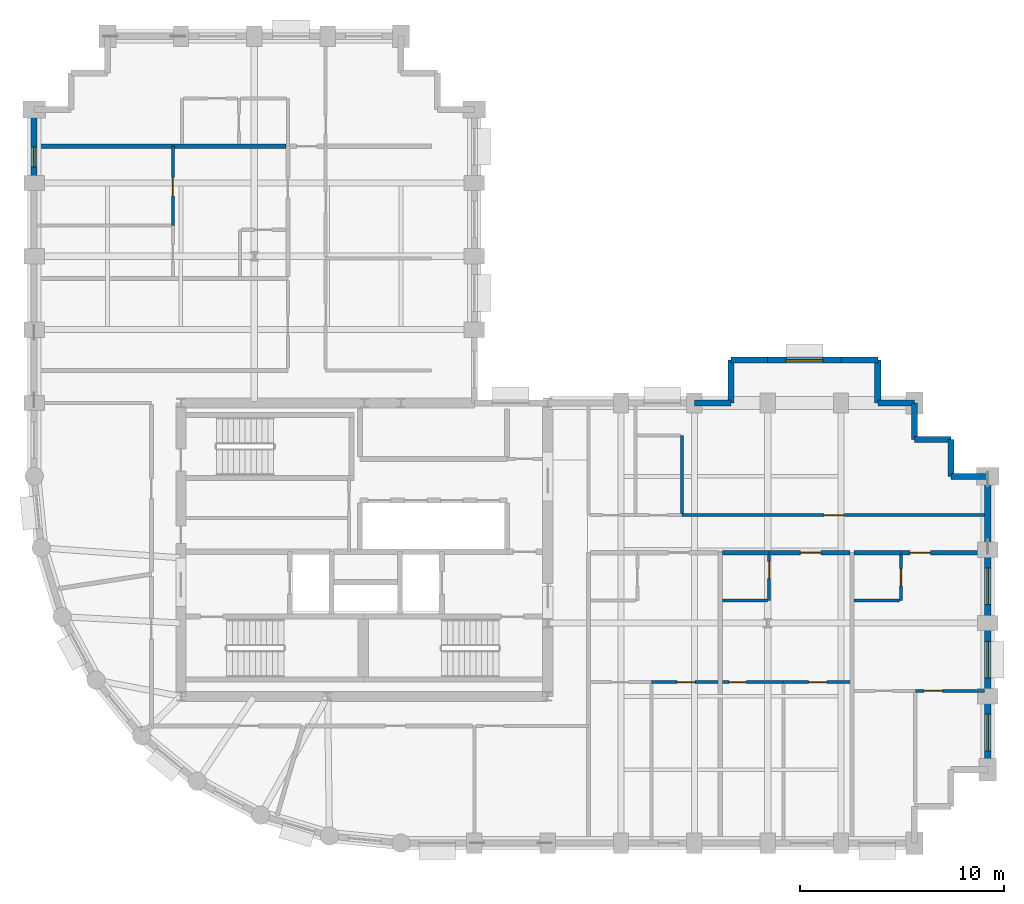
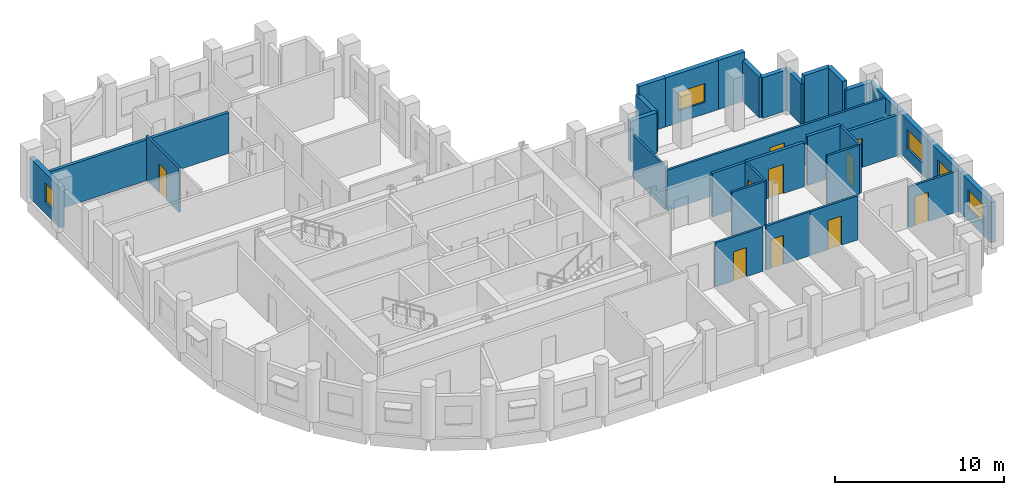
# One storey, part 6 of 9: 32 walls, 10 doors, 5 windows, 15 openings.
"""IFC4 building model written with IfcOpenShell, lengths in metres."""

from ifc_helpers import new_model, si_unit, direction, frame, frame_2d, origin, place, context, subcontext, project, spatial, rectangle, extrude, material, layer, layer_set, type_object, element, fill, save


model = new_model("IFC4")

# Units and contexts
model_context = context("Model", 3, precision=1e-05, world=origin(), true_north=direction((0.0, 1.0)))
body_context = subcontext(model_context, "Body", "Model", "MODEL_VIEW")
ifc_project = project(units=[si_unit("LENGTHUNIT", "METRE"), si_unit("AREAUNIT", "SQUARE_METRE"), si_unit("VOLUMEUNIT", "CUBIC_METRE"), si_unit("PLANEANGLEUNIT", "RADIAN"), si_unit("MASSUNIT", "GRAM", prefix="KILO")], contexts=[model_context])

# Site, building, storey
site_placement = place(None, origin())
site = spatial("IfcSite", under=ifc_project, at=site_placement, CompositionType="ELEMENT")
building_placement = place(site_placement, origin())
building = spatial("IfcBuilding", under=site, at=building_placement, Name="Solnavia Interchange Tower", CompositionType="ELEMENT")
storey_placement = place(building_placement, frame((0.0, 0.0, 142.800048828125)))
storey = spatial("IfcBuildingStorey", under=building, at=storey_placement, Name="L35", CompositionType="ELEMENT", Elevation=142.800048828125)

# Wall
ifc_material_1 = material(Name="Gypsum Acoustic Twin-Stud & Mineral Wool", Category="gypsum")
ifc_layer_1 = layer(ifc_material_1, 0.199951171875)
ifc_layer_set_1 = layer_set([ifc_layer_1], Name="Gypsum Acoustic Twin-Stud & Mineral Wool")
wall_type_1 = type_object("IfcWallType", Name="Wall-ApartmentParty-200", PredefinedType="PARTITIONING", material=ifc_layer_set_1)
wall_1_placement = place(storey_placement, frame((40.97412109375, 17.85009765625, 0.0), z_axis=(0.0, 0.0, 1.0), x_axis=(1.0, 0.0, 0.0)))
element("IfcWall", 1, at=wall_1_placement, inside=storey, type_object=wall_type_1, Name="PTW-L35-27 Interior partition wall", PredefinedType="PARTITIONING", context=body_context, shape_type="SweptSolid", body=[
    extrude(rectangle(XDim=2.2958984375, YDim=0.199951171875, at=frame_2d((1.14794921875, 0.0))), origin(), (0.0, 0.0, 1.0), 3.1298828125),
])

# Wall, opening, door
wall_2_placement = place(storey_placement, frame((43.27001953125, 17.85009765625, 0.0), z_axis=(0.0, 0.0, 1.0), x_axis=(1.0, 0.0, 0.0)))
wall_2 = element("IfcWall", 2, at=wall_2_placement, inside=storey, type_object=wall_type_1, Name="PTW-L35-30 Interior partition wall", PredefinedType="PARTITIONING", context=body_context, shape_type="SweptSolid", body=[
    extrude(rectangle(XDim=3.966064453125, YDim=0.199951171875, at=frame_2d((1.98291015625, 0.0))), origin(), (0.0, 0.0, 1.0), 3.169921875),
])
opening_1_placement = place(wall_2_placement, frame((1.534912109375, 0.0, 0.0)))
opening_1 = element("IfcOpeningElement", 3, at=opening_1_placement, cuts=wall_2, Name="Opening DR-06", PredefinedType="OPENING", context=body_context, shape_type="SweptSolid", body=[
    extrude(rectangle(XDim=1.0, YDim=2.10009765625, at=frame_2d((0.5, 1.050048828125))), frame((0.0, 0.10986328125, 0.0), z_axis=(0.0, -1.0, 0.0), x_axis=(1.0, 0.0, 0.0)), (0.0, 0.0, 1.0), 0.219970703125),
])
ifc_material_2 = material(Name="Engineered Timber Acoustic Fire Door", Category="wood")
door_type_1 = type_object("IfcDoorType", Name="Door-FlatEntry-1000x2100", OperationType="SINGLE_SWING_LEFT", PredefinedType="DOOR", material=ifc_material_2)
door_1_placement = place(opening_1_placement, origin())
door_1 = element("IfcDoor", 4, at=door_1_placement, inside=storey, type_object=door_type_1, Name="DR-L35-13 Interior room door", OperationType="SINGLE_SWING_LEFT", OverallHeight=2.10009765625, OverallWidth=1.0, PredefinedType="DOOR", context=body_context, shape_type="SweptSolid", body=[
    extrude(rectangle(XDim=1.0, YDim=2.10009765625, at=frame_2d((0.5, 1.050048828125))), frame((0.0, 0.02490234375, 0.0), z_axis=(0.0, -1.0, 0.0), x_axis=(1.0, 0.0, 0.0)), (0.0, 0.0, 1.0), 0.050048828125),
])
fill(opening_1, door_1)

# Wall
wall_3_placement = place(storey_placement, frame((47.444091796875, 17.85009765625, 0.0), z_axis=(0.0, 0.0, 1.0), x_axis=(1.0, 0.0, 0.0)))
element("IfcWall", 5, at=wall_3_placement, inside=storey, type_object=wall_type_1, Name="PTW-L35-34 Interior partition wall", PredefinedType="PARTITIONING", context=body_context, shape_type="SweptSolid", body=[
    extrude(rectangle(XDim=2.2958984375, YDim=0.199951171875, at=frame_2d((1.14794921875, 0.0))), origin(), (0.0, 0.0, 1.0), 3.534912109375),
])

# Wall, opening, door
wall_4_placement = place(storey_placement, frame((49.739990234375, 17.85009765625, 0.0), z_axis=(0.0, 0.0, 1.0), x_axis=(1.0, 0.0, 0.0)))
wall_4 = element("IfcWall", 6, at=wall_4_placement, inside=storey, type_object=wall_type_1, Name="PTW-L35-37 Interior partition wall", PredefinedType="PARTITIONING", context=body_context, shape_type="SweptSolid", body=[
    extrude(rectangle(XDim=4.10595703125, YDim=0.199951171875, at=frame_2d((2.052978515625, 0.0))), origin(), (0.0, 0.0, 1.0), 2.929931640625),
])
opening_2_placement = place(wall_4_placement, frame((0.43896484375, 0.0, 0.0)))
opening_2 = element("IfcOpeningElement", 7, at=opening_2_placement, cuts=wall_4, Name="Opening DR-06", PredefinedType="OPENING", context=body_context, shape_type="SweptSolid", body=[
    extrude(rectangle(XDim=1.0, YDim=2.10009765625, at=frame_2d((0.5, 1.050048828125))), frame((0.0, 0.10986328125, 0.0), z_axis=(0.0, -1.0, 0.0), x_axis=(1.0, 0.0, 0.0)), (0.0, 0.0, 1.0), 0.219970703125),
])
door_2_placement = place(opening_2_placement, origin())
door_2 = element("IfcDoor", 8, at=door_2_placement, inside=storey, type_object=door_type_1, Name="DR-L35-17 Interior room door", OperationType="SINGLE_SWING_LEFT", OverallHeight=2.10009765625, OverallWidth=1.0, PredefinedType="DOOR", context=body_context, shape_type="SweptSolid", body=[
    extrude(rectangle(XDim=1.0, YDim=2.10009765625, at=frame_2d((0.5, 1.050048828125))), frame((0.0, 0.02490234375, 0.0), z_axis=(0.0, -1.0, 0.0), x_axis=(1.0, 0.0, 0.0)), (0.0, 0.0, 1.0), 0.050048828125),
])
fill(opening_2, door_2)

# Wall
wall_5_placement = place(storey_placement, frame((7.35400390625, 37.800048828125, 0.0), z_axis=(0.0, 0.0, 1.0), x_axis=(1.0, 0.0, 0.0)))
element("IfcWall", 9, at=wall_5_placement, inside=storey, type_object=wall_type_1, Name="PTW-L35-56 Interior partition wall", PredefinedType="PARTITIONING", context=body_context, shape_type="SweptSolid", body=[
    extrude(rectangle(XDim=12.19189453125, YDim=0.199951171875, at=frame_2d((6.095947265625, 0.0))), origin(), (0.0, 0.0, 1.0), 2.929931640625),
])

# Wall, opening, window
ifc_material_3 = material(Name="Concrete C40/50", Category="concrete")
ifc_layer_2 = layer(ifc_material_3, 0.300048828125)
ifc_layer_set_2 = layer_set([ifc_layer_2], Name="Concrete C40/50")
wall_type_2 = type_object("IfcWallType", Name="Wall-ExtSpandrel-300", PredefinedType="STANDARD", material=ifc_layer_set_2)
wall_6_placement = place(storey_placement, frame((54.0, 10.800048828125, 0.0), z_axis=(0.0, 0.0, 1.0), x_axis=(0.0, -1.0, 0.0)))
wall_6 = element("IfcWall", 10, at=wall_6_placement, inside=storey, type_object=wall_type_2, Name="EXW-L35-12 Exterior precast spandrel wall", PredefinedType="STANDARD", context=body_context, shape_type="SweptSolid", body=[
    extrude(rectangle(XDim=3.60009765625, YDim=0.300048828125, at=frame_2d((1.800048828125, 0.0))), origin(), (0.0, 0.0, 1.0), 2.929931640625),
])
opening_3_placement = place(wall_6_placement, frame((0.875, 0.0, 0.85009765625)))
opening_3 = element("IfcOpeningElement", 11, at=opening_3_placement, cuts=wall_6, Name="Opening WIN-02", PredefinedType="OPENING", context=body_context, shape_type="SweptSolid", body=[
    extrude(rectangle(XDim=1.800048828125, YDim=1.35009765625, at=frame_2d((0.89990234375, 0.675048828125))), frame((0.0, 0.16015625, 0.0), z_axis=(0.0, -1.0, 0.0), x_axis=(1.0, 0.0, 0.0)), (0.0, 0.0, 1.0), 0.320068359375),
])
ifc_material_4 = material(Name="Thermal-Break Aluminium & Low-E Glass", Category="aluminium")
window_type_1 = type_object("IfcWindowType", Name="Window-Ribbon-1800x1350", PartitioningType="SINGLE_PANEL", PredefinedType="WINDOW", material=ifc_material_4)
window_1_placement = place(opening_3_placement, origin())
window_1 = element("IfcWindow", 12, at=window_1_placement, inside=storey, type_object=window_type_1, Name="WIN-L35-12 Facade ribbon window", OverallHeight=1.35009765625, OverallWidth=1.800048828125, PartitioningType="SINGLE_PANEL", PredefinedType="WINDOW", context=body_context, shape_type="SweptSolid", body=[
    extrude(rectangle(XDim=1.800048828125, YDim=1.35009765625, at=frame_2d((0.89990234375, 0.675048828125))), frame((0.0, 0.030029296875, 0.0), z_axis=(0.0, -1.0, 0.0), x_axis=(1.0, 0.0, 0.0)), (0.0, 0.0, 1.0), 0.06005859375),
])
fill(opening_3, window_1)

wall_7_placement = place(storey_placement, frame((54.0, 14.39990234375, 0.0), z_axis=(0.0, 0.0, 1.0), x_axis=(0.0, -1.0, 0.0)))
wall_7 = element("IfcWall", 13, at=wall_7_placement, inside=storey, type_object=wall_type_2, Name="EXW-L35-13 Exterior precast spandrel wall", PredefinedType="STANDARD", context=body_context, shape_type="SweptSolid", body=[
    extrude(rectangle(XDim=3.599853515625, YDim=0.300048828125, at=frame_2d((1.7998046875, 0.0))), origin(), (0.0, 0.0, 1.0), 2.929931640625),
])
opening_4_placement = place(wall_7_placement, frame((0.89990234375, 0.0, 0.85009765625)))
opening_4 = element("IfcOpeningElement", 14, at=opening_4_placement, cuts=wall_7, Name="Opening WIN-02", PredefinedType="OPENING", context=body_context, shape_type="SweptSolid", body=[
    extrude(rectangle(XDim=1.800048828125, YDim=1.35009765625, at=frame_2d((0.89990234375, 0.675048828125))), frame((0.0, 0.16015625, 0.0), z_axis=(0.0, -1.0, 0.0), x_axis=(1.0, 0.0, 0.0)), (0.0, 0.0, 1.0), 0.320068359375),
])
window_2_placement = place(opening_4_placement, origin())
window_2 = element("IfcWindow", 15, at=window_2_placement, inside=storey, type_object=window_type_1, Name="WIN-L35-13 Facade ribbon window", OverallHeight=1.35009765625, OverallWidth=1.800048828125, PartitioningType="SINGLE_PANEL", PredefinedType="WINDOW", context=body_context, shape_type="SweptSolid", body=[
    extrude(rectangle(XDim=1.800048828125, YDim=1.35009765625, at=frame_2d((0.89990234375, 0.675048828125))), frame((0.0, 0.030029296875, 0.0), z_axis=(0.0, -1.0, 0.0), x_axis=(1.0, 0.0, 0.0)), (0.0, 0.0, 1.0), 0.06005859375),
])
fill(opening_4, window_2)

wall_8_placement = place(storey_placement, frame((54.0, 18.0, 0.0), z_axis=(0.0, 0.0, 1.0), x_axis=(0.0, -1.0, 0.0)))
wall_8 = element("IfcWall", 16, at=wall_8_placement, inside=storey, type_object=wall_type_2, Name="EXW-L35-14 Exterior precast spandrel wall", PredefinedType="STANDARD", context=body_context, shape_type="SweptSolid", body=[
    extrude(rectangle(XDim=3.60009765625, YDim=0.300048828125, at=frame_2d((1.800048828125, 0.0))), origin(), (0.0, 0.0, 1.0), 2.929931640625),
])
opening_5_placement = place(wall_8_placement, frame((0.89990234375, 0.0, 0.85009765625)))
opening_5 = element("IfcOpeningElement", 17, at=opening_5_placement, cuts=wall_8, Name="Opening WIN-02", PredefinedType="OPENING", context=body_context, shape_type="SweptSolid", body=[
    extrude(rectangle(XDim=1.800048828125, YDim=1.35009765625, at=frame_2d((0.89990234375, 0.675048828125))), frame((0.0, 0.16015625, 0.0), z_axis=(0.0, -1.0, 0.0), x_axis=(1.0, 0.0, 0.0)), (0.0, 0.0, 1.0), 0.320068359375),
])
window_3_placement = place(opening_5_placement, origin())
window_3 = element("IfcWindow", 18, at=window_3_placement, inside=storey, type_object=window_type_1, Name="WIN-L35-14 Facade ribbon window", OverallHeight=1.35009765625, OverallWidth=1.800048828125, PartitioningType="SINGLE_PANEL", PredefinedType="WINDOW", context=body_context, shape_type="SweptSolid", body=[
    extrude(rectangle(XDim=1.800048828125, YDim=1.35009765625, at=frame_2d((0.89990234375, 0.675048828125))), frame((0.0, 0.030029296875, 0.0), z_axis=(0.0, -1.0, 0.0), x_axis=(1.0, 0.0, 0.0)), (0.0, 0.0, 1.0), 0.06005859375),
])
fill(opening_5, window_3)

# Walls
wall_9_placement = place(storey_placement, frame((54.0, 21.60009765625, 0.0), z_axis=(0.0, 0.0, 1.0), x_axis=(0.0, -1.0, 0.0)))
element("IfcWall", 19, at=wall_9_placement, inside=storey, type_object=wall_type_2, Name="EXW-L35-15 Exterior precast spandrel wall", PredefinedType="STANDARD", context=body_context, shape_type="SweptSolid", body=[
    extrude(rectangle(XDim=3.60009765625, YDim=0.300048828125, at=frame_2d((1.800048828125, 0.0))), origin(), (0.0, 0.0, 1.0), 2.929931640625),
])
wall_10_placement = place(storey_placement, frame((52.199951171875, 21.60009765625, 0.0), z_axis=(0.0, 0.0, 1.0), x_axis=(1.0, 0.0, 0.0)))
element("IfcWall", 20, at=wall_10_placement, inside=storey, type_object=wall_type_2, Name="EXW-L35-16 Exterior precast spandrel wall", PredefinedType="STANDARD", context=body_context, shape_type="SweptSolid", body=[
    extrude(rectangle(XDim=1.800048828125, YDim=0.300048828125, at=frame_2d((0.89990234375, 0.0))), origin(), (0.0, 0.0, 1.0), 2.929931640625),
])
wall_11_placement = place(storey_placement, frame((52.199951171875, 23.39990234375, 0.0), z_axis=(0.0, 0.0, 1.0), x_axis=(0.0, -1.0, 0.0)))
element("IfcWall", 21, at=wall_11_placement, inside=storey, type_object=wall_type_2, Name="EXW-L35-17 Exterior precast spandrel wall", PredefinedType="STANDARD", context=body_context, shape_type="SweptSolid", body=[
    extrude(rectangle(XDim=1.7998046875, YDim=0.300048828125, at=frame_2d((0.89990234375, 0.0))), origin(), (0.0, 0.0, 1.0), 3.534912109375),
])
wall_12_placement = place(storey_placement, frame((50.39990234375, 23.39990234375, 0.0), z_axis=(0.0, 0.0, 1.0), x_axis=(1.0, 0.0, 0.0)))
element("IfcWall", 22, at=wall_12_placement, inside=storey, type_object=wall_type_2, Name="EXW-L35-18 Exterior precast spandrel wall", PredefinedType="STANDARD", context=body_context, shape_type="SweptSolid", body=[
    extrude(rectangle(XDim=1.800048828125, YDim=0.300048828125, at=frame_2d((0.89990234375, 0.0))), origin(), (0.0, 0.0, 1.0), 3.534912109375),
])
wall_13_placement = place(storey_placement, frame((50.39990234375, 25.199951171875, 0.0), z_axis=(0.0, 0.0, 1.0), x_axis=(0.0, -1.0, 0.0)))
element("IfcWall", 23, at=wall_13_placement, inside=storey, type_object=wall_type_2, Name="EXW-L35-19 Exterior precast spandrel wall", PredefinedType="STANDARD", context=body_context, shape_type="SweptSolid", body=[
    extrude(rectangle(XDim=1.800048828125, YDim=0.300048828125, at=frame_2d((0.89990234375, 0.0))), origin(), (0.0, 0.0, 1.0), 2.929931640625),
])
wall_14_placement = place(storey_placement, frame((48.60009765625, 25.199951171875, 0.0), z_axis=(0.0, 0.0, 1.0), x_axis=(1.0, 0.0, 0.0)))
element("IfcWall", 24, at=wall_14_placement, inside=storey, type_object=wall_type_2, Name="EXW-L35-20 Exterior precast spandrel wall", PredefinedType="STANDARD", context=body_context, shape_type="SweptSolid", body=[
    extrude(rectangle(XDim=1.7998046875, YDim=0.300048828125, at=frame_2d((0.89990234375, 0.0))), origin(), (0.0, 0.0, 1.0), 2.929931640625),
])
wall_15_placement = place(storey_placement, frame((48.60009765625, 27.300048828125, 0.0), z_axis=(0.0, 0.0, 1.0), x_axis=(0.0, -1.0, 0.0)))
element("IfcWall", 25, at=wall_15_placement, inside=storey, type_object=wall_type_2, Name="EXW-L35-21 Exterior precast spandrel wall", PredefinedType="STANDARD", context=body_context, shape_type="SweptSolid", body=[
    extrude(rectangle(XDim=2.10009765625, YDim=0.300048828125, at=frame_2d((1.050048828125, 0.0))), origin(), (0.0, 0.0, 1.0), 2.929931640625),
])
wall_16_placement = place(storey_placement, frame((46.800048828125, 27.300048828125, 0.0), z_axis=(0.0, 0.0, 1.0), x_axis=(1.0, 0.0, 0.0)))
element("IfcWall", 26, at=wall_16_placement, inside=storey, type_object=wall_type_2, Name="EXW-L35-22 Exterior precast spandrel wall", PredefinedType="STANDARD", context=body_context, shape_type="SweptSolid", body=[
    extrude(rectangle(XDim=1.800048828125, YDim=0.300048828125, at=frame_2d((0.89990234375, 0.0))), origin(), (0.0, 0.0, 1.0), 3.534912109375),
])

# Wall, opening, window
wall_17_placement = place(storey_placement, frame((43.199951171875, 27.300048828125, 0.0), z_axis=(0.0, 0.0, 1.0), x_axis=(1.0, 0.0, 0.0)))
wall_17 = element("IfcWall", 27, at=wall_17_placement, inside=storey, type_object=wall_type_2, Name="EXW-L35-23 Exterior precast spandrel wall", PredefinedType="STANDARD", context=body_context, shape_type="SweptSolid", body=[
    extrude(rectangle(XDim=3.60009765625, YDim=0.300048828125, at=frame_2d((1.800048828125, 0.0))), origin(), (0.0, 0.0, 1.0), 3.534912109375),
])
opening_6_placement = place(wall_17_placement, frame((0.89990234375, 0.0, 0.85009765625)))
opening_6 = element("IfcOpeningElement", 28, at=opening_6_placement, cuts=wall_17, Name="Opening WIN-02", PredefinedType="OPENING", context=body_context, shape_type="SweptSolid", body=[
    extrude(rectangle(XDim=1.800048828125, YDim=1.35009765625, at=frame_2d((0.89990234375, 0.675048828125))), frame((0.0, 0.16015625, 0.0), z_axis=(0.0, -1.0, 0.0), x_axis=(1.0, 0.0, 0.0)), (0.0, 0.0, 1.0), 0.320068359375),
])
window_4_placement = place(opening_6_placement, origin())
window_4 = element("IfcWindow", 29, at=window_4_placement, inside=storey, type_object=window_type_1, Name="WIN-L35-23 Facade ribbon window", OverallHeight=1.35009765625, OverallWidth=1.800048828125, PartitioningType="SINGLE_PANEL", PredefinedType="WINDOW", context=body_context, shape_type="SweptSolid", body=[
    extrude(rectangle(XDim=1.800048828125, YDim=1.35009765625, at=frame_2d((0.89990234375, 0.675048828125))), frame((0.0, 0.030029296875, 0.0), z_axis=(0.0, -1.0, 0.0), x_axis=(1.0, 0.0, 0.0)), (0.0, 0.0, 1.0), 0.06005859375),
])
fill(opening_6, window_4)

# Walls
wall_18_placement = place(storey_placement, frame((41.39990234375, 27.300048828125, 0.0), z_axis=(0.0, 0.0, 1.0), x_axis=(1.0, 0.0, 0.0)))
element("IfcWall", 30, at=wall_18_placement, inside=storey, type_object=wall_type_2, Name="EXW-L35-24 Exterior precast spandrel wall", PredefinedType="STANDARD", context=body_context, shape_type="SweptSolid", body=[
    extrude(rectangle(XDim=1.800048828125, YDim=0.300048828125, at=frame_2d((0.89990234375, 0.0))), origin(), (0.0, 0.0, 1.0), 3.534912109375),
])
wall_19_placement = place(storey_placement, frame((41.39990234375, 27.300048828125, 0.0), z_axis=(0.0, 0.0, 1.0), x_axis=(0.0, -1.0, 0.0)))
element("IfcWall", 31, at=wall_19_placement, inside=storey, type_object=wall_type_2, Name="EXW-L35-25 Exterior precast spandrel wall", PredefinedType="STANDARD", context=body_context, shape_type="SweptSolid", body=[
    extrude(rectangle(XDim=2.10009765625, YDim=0.300048828125, at=frame_2d((1.050048828125, 0.0))), origin(), (0.0, 0.0, 1.0), 2.929931640625),
])
wall_20_placement = place(storey_placement, frame((39.60009765625, 25.199951171875, 0.0), z_axis=(0.0, 0.0, 1.0), x_axis=(1.0, 0.0, 0.0)))
element("IfcWall", 32, at=wall_20_placement, inside=storey, type_object=wall_type_2, Name="EXW-L35-26 Exterior precast spandrel wall", PredefinedType="STANDARD", context=body_context, shape_type="SweptSolid", body=[
    extrude(rectangle(XDim=1.7998046875, YDim=0.300048828125, at=frame_2d((0.89990234375, 0.0))), origin(), (0.0, 0.0, 1.0), 2.929931640625),
])

# Wall, opening, window
wall_21_placement = place(storey_placement, frame((7.199951171875, 36.0, 0.0), z_axis=(0.0, 0.0, 1.0), x_axis=(0.0, 1.0, 0.0)))
wall_21 = element("IfcWall", 33, at=wall_21_placement, inside=storey, type_object=wall_type_2, Name="EXW-L35-46 Exterior precast spandrel wall", PredefinedType="STANDARD", context=body_context, shape_type="SweptSolid", body=[
    extrude(rectangle(XDim=3.60009765625, YDim=0.300048828125, at=frame_2d((1.800048828125, 0.0))), origin(), (0.0, 0.0, 1.0), 2.929931640625),
])
opening_7_placement = place(wall_21_placement, frame((0.76904296875, 0.0, 0.85009765625)))
opening_7 = element("IfcOpeningElement", 34, at=opening_7_placement, cuts=wall_21, Name="Opening WIN-07", PredefinedType="OPENING", context=body_context, shape_type="SweptSolid", body=[
    extrude(rectangle(XDim=1.0, YDim=1.35009765625, at=frame_2d((0.5, 0.675048828125))), frame((0.0, 0.16015625, 0.0), z_axis=(0.0, -1.0, 0.0), x_axis=(1.0, 0.0, 0.0)), (0.0, 0.0, 1.0), 0.320068359375),
])
window_type_2 = type_object("IfcWindowType", Name="Window-Bedroom-1000x1350", PartitioningType="SINGLE_PANEL", PredefinedType="WINDOW", material=ifc_material_4)
window_5_placement = place(opening_7_placement, origin())
window_5 = element("IfcWindow", 35, at=window_5_placement, inside=storey, type_object=window_type_2, Name="WIN-L35-DW02 Dwelling bedroom window", OverallHeight=1.35009765625, OverallWidth=1.0, PartitioningType="SINGLE_PANEL", PredefinedType="WINDOW", context=body_context, shape_type="SweptSolid", body=[
    extrude(rectangle(XDim=1.0, YDim=1.35009765625, at=frame_2d((0.5, 0.675048828125))), frame((0.0, 0.030029296875, 0.0), z_axis=(0.0, -1.0, 0.0), x_axis=(1.0, 0.0, 0.0)), (0.0, 0.0, 1.0), 0.06005859375),
])
fill(opening_7, window_5)

# Wall, opening, door
ifc_material_5 = material(Name="Gypsum Plasterboard & Steel Stud", Category="steel")
ifc_layer_3 = layer(ifc_material_5, 0.14990234375)
ifc_layer_set_3 = layer_set([ifc_layer_3], Name="Gypsum Plasterboard & Steel Stud")
wall_type_3 = type_object("IfcWallType", Name="Wall-Partition-150", PredefinedType="PARTITIONING", material=ifc_layer_set_3)
wall_22_placement = place(storey_placement, frame((37.5, 11.5, 0.0), z_axis=(0.0, 0.0, 1.0), x_axis=(1.0, 0.0, 0.0)))
wall_22 = element("IfcWall", 36, at=wall_22_placement, inside=storey, type_object=wall_type_3, Name="PTW-L35-23 Interior partition wall", PredefinedType="PARTITIONING", context=body_context, shape_type="SweptSolid", body=[
    extrude(rectangle(XDim=3.26611328125, YDim=0.14990234375, at=frame_2d((1.633056640625, 0.0))), origin(), (0.0, 0.0, 1.0), 3.169921875),
])
opening_8_placement = place(wall_22_placement, frame((1.235107421875, 0.0, 0.0)))
opening_8 = element("IfcOpeningElement", 37, at=opening_8_placement, cuts=wall_22, Name="Opening DR-09", PredefinedType="OPENING", context=body_context, shape_type="SweptSolid", body=[
    extrude(rectangle(XDim=0.89990234375, YDim=2.10009765625, at=frame_2d((0.449951171875, 1.050048828125))), frame((0.0, 0.0849609375, 0.0), z_axis=(0.0, -1.0, 0.0), x_axis=(1.0, 0.0, 0.0)), (0.0, 0.0, 1.0), 0.169921875),
])
ifc_material_6 = material(Name="Engineered Oak Veneer Door", Category="wood")
door_type_2 = type_object("IfcDoorType", Name="Door-Internal-900x2100", OperationType="SINGLE_SWING_LEFT", PredefinedType="DOOR", material=ifc_material_6)
door_3_placement = place(opening_8_placement, origin())
door_3 = element("IfcDoor", 38, at=door_3_placement, inside=storey, type_object=door_type_2, Name="DR-L35-10 Interior room door", OperationType="SINGLE_SWING_RIGHT", OverallHeight=2.10009765625, OverallWidth=0.89990234375, PredefinedType="DOOR", context=body_context, shape_type="SweptSolid", body=[
    extrude(rectangle(XDim=0.89990234375, YDim=2.10009765625, at=frame_2d((0.449951171875, 1.050048828125))), frame((0.0, 0.02490234375, 0.0), z_axis=(0.0, -1.0, 0.0), x_axis=(1.0, 0.0, 0.0)), (0.0, 0.0, 1.0), 0.050048828125),
])
fill(opening_8, door_3)

wall_23_placement = place(storey_placement, frame((43.969970703125, 11.5, 0.0), z_axis=(0.0, 0.0, 1.0), x_axis=(1.0, 0.0, 0.0)))
wall_23 = element("IfcWall", 39, at=wall_23_placement, inside=storey, type_object=wall_type_3, Name="PTW-L35-31 Interior partition wall", PredefinedType="PARTITIONING", context=body_context, shape_type="SweptSolid", body=[
    extrude(rectangle(XDim=3.26611328125, YDim=0.14990234375, at=frame_2d((1.633056640625, 0.0))), origin(), (0.0, 0.0, 1.0), 3.169921875),
])
opening_9_placement = place(wall_23_placement, frame((1.235107421875, 0.0, 0.0)))
opening_9 = element("IfcOpeningElement", 40, at=opening_9_placement, cuts=wall_23, Name="Opening DR-09", PredefinedType="OPENING", context=body_context, shape_type="SweptSolid", body=[
    extrude(rectangle(XDim=0.89990234375, YDim=2.10009765625, at=frame_2d((0.449951171875, 1.050048828125))), frame((0.0, 0.0849609375, 0.0), z_axis=(0.0, -1.0, 0.0), x_axis=(1.0, 0.0, 0.0)), (0.0, 0.0, 1.0), 0.169921875),
])
door_4_placement = place(opening_9_placement, origin())
door_4 = element("IfcDoor", 41, at=door_4_placement, inside=storey, type_object=door_type_2, Name="DR-L35-14 Interior room door", OperationType="SINGLE_SWING_RIGHT", OverallHeight=2.10009765625, OverallWidth=0.89990234375, PredefinedType="DOOR", context=body_context, shape_type="SweptSolid", body=[
    extrude(rectangle(XDim=0.89990234375, YDim=2.10009765625, at=frame_2d((0.449951171875, 1.050048828125))), frame((0.0, 0.02490234375, 0.0), z_axis=(0.0, -1.0, 0.0), x_axis=(1.0, 0.0, 0.0)), (0.0, 0.0, 1.0), 0.050048828125),
])
fill(opening_9, door_4)

wall_24_placement = place(storey_placement, frame((50.43994140625, 11.070068359375, 0.0), z_axis=(0.0, 0.0, 1.0), x_axis=(1.0, 0.0, 0.0)))
wall_24 = element("IfcWall", 42, at=wall_24_placement, inside=storey, type_object=wall_type_3, Name="PTW-L35-38 Interior partition wall", PredefinedType="PARTITIONING", context=body_context, shape_type="SweptSolid", body=[
    extrude(rectangle(XDim=3.406005859375, YDim=0.14990234375, at=frame_2d((1.703125, 0.0))), origin(), (0.0, 0.0, 1.0), 2.929931640625),
])
opening_10_placement = place(wall_24_placement, frame((0.43798828125, 0.0, 0.0)))
opening_10 = element("IfcOpeningElement", 43, at=opening_10_placement, cuts=wall_24, Name="Opening DR-09", PredefinedType="OPENING", context=body_context, shape_type="SweptSolid", body=[
    extrude(rectangle(XDim=0.89990234375, YDim=2.10009765625, at=frame_2d((0.449951171875, 1.050048828125))), frame((0.0, 0.0849609375, 0.0), z_axis=(0.0, -1.0, 0.0), x_axis=(1.0, 0.0, 0.0)), (0.0, 0.0, 1.0), 0.169921875),
])
door_5_placement = place(opening_10_placement, origin())
door_5 = element("IfcDoor", 44, at=door_5_placement, inside=storey, type_object=door_type_2, Name="DR-L35-18 Interior room door", OperationType="SINGLE_SWING_RIGHT", OverallHeight=2.10009765625, OverallWidth=0.89990234375, PredefinedType="DOOR", context=body_context, shape_type="SweptSolid", body=[
    extrude(rectangle(XDim=0.89990234375, YDim=2.10009765625, at=frame_2d((0.449951171875, 1.050048828125))), frame((0.0, 0.02490234375, 0.0), z_axis=(0.0, -1.0, 0.0), x_axis=(1.0, 0.0, 0.0)), (0.0, 0.0, 1.0), 0.050048828125),
])
fill(opening_10, door_5)

wall_25_placement = place(storey_placement, frame((39.0, 19.699951171875, 0.0), z_axis=(0.0, 0.0, 1.0), x_axis=(1.0, 0.0, 0.0)))
wall_25 = element("IfcWall", 45, at=wall_25_placement, inside=storey, type_object=wall_type_3, Name="PTW-L35-41 Interior partition wall", PredefinedType="PARTITIONING", context=body_context, shape_type="SweptSolid", body=[
    extrude(rectangle(XDim=14.845947265625, YDim=0.14990234375, at=frame_2d((7.4228515625, 0.0))), origin(), (0.0, 0.0, 1.0), 2.929931640625),
])
opening_11_placement = place(wall_25_placement, frame((6.9599609375, 0.0, 0.0)))
opening_11 = element("IfcOpeningElement", 46, at=opening_11_placement, cuts=wall_25, Name="Opening DR-07", PredefinedType="OPENING", context=body_context, shape_type="SweptSolid", body=[
    extrude(rectangle(XDim=1.0, YDim=2.10009765625, at=frame_2d((0.5, 1.050048828125))), frame((0.0, 0.0849609375, 0.0), z_axis=(0.0, -1.0, 0.0), x_axis=(1.0, 0.0, 0.0)), (0.0, 0.0, 1.0), 0.169921875),
])
ifc_material_7 = material(Name="Timber & Acoustic Glazed Office Door", Category="wood")
door_type_3 = type_object("IfcDoorType", Name="Door-Office-1000x2100", OperationType="SINGLE_SWING_RIGHT", PredefinedType="DOOR", material=ifc_material_7)
door_6_placement = place(opening_11_placement, origin())
door_6 = element("IfcDoor", 47, at=door_6_placement, inside=storey, type_object=door_type_3, Name="DR-L35-20 Interior room door", OperationType="SINGLE_SWING_RIGHT", OverallHeight=2.10009765625, OverallWidth=1.0, PredefinedType="DOOR", context=body_context, shape_type="SweptSolid", body=[
    extrude(rectangle(XDim=1.0, YDim=2.10009765625, at=frame_2d((0.5, 1.050048828125))), frame((0.0, 0.02490234375, 0.0), z_axis=(0.0, -1.0, 0.0), x_axis=(1.0, 0.0, 0.0)), (0.0, 0.0, 1.0), 0.050048828125),
])
fill(opening_11, door_6)

wall_26_placement = place(storey_placement, frame((14.010009765625, 33.89990234375, 0.0), z_axis=(0.0, 0.0, 1.0), x_axis=(0.0, 1.0, 0.0)))
wall_26 = element("IfcWall", 48, at=wall_26_placement, inside=storey, type_object=wall_type_3, Name="PTW-L35-49 Interior partition wall", PredefinedType="PARTITIONING", context=body_context, shape_type="SweptSolid", body=[
    extrude(rectangle(XDim=3.900146484375, YDim=0.14990234375, at=frame_2d((1.9501953125, 0.0))), origin(), (0.0, 0.0, 1.0), 3.169921875),
])
opening_12_placement = place(wall_26_placement, frame((1.4609375, 0.0, 0.0)))
opening_12 = element("IfcOpeningElement", 49, at=opening_12_placement, cuts=wall_26, Name="Opening DR-09", PredefinedType="OPENING", context=body_context, shape_type="SweptSolid", body=[
    extrude(rectangle(XDim=0.89990234375, YDim=2.10009765625, at=frame_2d((0.449951171875, 1.050048828125))), frame((0.0, 0.0849609375, 0.0), z_axis=(0.0, -1.0, 0.0), x_axis=(1.0, 0.0, 0.0)), (0.0, 0.0, 1.0), 0.169921875),
])
door_7_placement = place(opening_12_placement, origin())
door_7 = element("IfcDoor", 50, at=door_7_placement, inside=storey, type_object=door_type_2, Name="DR-L35-24 Interior room door", OperationType="SINGLE_SWING_LEFT", OverallHeight=2.10009765625, OverallWidth=0.89990234375, PredefinedType="DOOR", context=body_context, shape_type="SweptSolid", body=[
    extrude(rectangle(XDim=0.89990234375, YDim=2.10009765625, at=frame_2d((0.449951171875, 1.050048828125))), frame((0.0, 0.02490234375, 0.0), z_axis=(0.0, -1.0, 0.0), x_axis=(1.0, 0.0, 0.0)), (0.0, 0.0, 1.0), 0.050048828125),
])
fill(opening_12, door_7)

# Wall
ifc_material_8 = material(Name="Moisture-Resistant Gypsum & Steel Stud", Category="steel")
ifc_layer_4 = layer(ifc_material_8, 0.14990234375)
ifc_layer_set_4 = layer_set([ifc_layer_4], Name="Moisture-Resistant Gypsum & Steel Stud")
wall_type_4 = type_object("IfcWallType", Name="Wall-WetRoom-150", PredefinedType="PARTITIONING", material=ifc_layer_set_4)
wall_27_placement = place(storey_placement, frame((39.0, 19.779052734375, 0.0), z_axis=(0.0, 0.0, 1.0), x_axis=(0.0, 1.0, 0.0)))
element("IfcWall", 51, at=wall_27_placement, inside=storey, type_object=wall_type_4, Name="PTW-L35-05 Interior partition wall", PredefinedType="PARTITIONING", context=body_context, shape_type="SweptSolid", body=[
    extrude(rectangle(XDim=3.821044921875, YDim=0.14990234375, at=frame_2d((1.91064453125, 0.0))), origin(), (0.0, 0.0, 1.0), 3.079833984375),
])

# Wall, opening, door
wall_28_placement = place(storey_placement, frame((43.27001953125, 15.5, 0.0), z_axis=(0.0, 0.0, 1.0), x_axis=(0.0, 1.0, 0.0)))
wall_28 = element("IfcWall", 52, at=wall_28_placement, inside=storey, type_object=wall_type_4, Name="PTW-L35-28 Interior partition wall", PredefinedType="PARTITIONING", context=body_context, shape_type="SweptSolid", body=[
    extrude(rectangle(XDim=2.24609375, YDim=0.14990234375, at=frame_2d((1.123046875, 0.0))), origin(), (0.0, 0.0, 1.0), 3.179931640625),
])
opening_13_placement = place(wall_28_placement, frame((1.080078125, 0.0, 0.0)))
opening_13 = element("IfcOpeningElement", 53, at=opening_13_placement, cuts=wall_28, Name="Opening DR-10", PredefinedType="OPENING", context=body_context, shape_type="SweptSolid", body=[
    extrude(rectangle(XDim=0.85009765625, YDim=2.10009765625, at=frame_2d((0.425048828125, 1.050048828125))), frame((0.0, 0.0849609375, 0.0), z_axis=(0.0, -1.0, 0.0), x_axis=(1.0, 0.0, 0.0)), (0.0, 0.0, 1.0), 0.169921875),
])
ifc_material_9 = material(Name="Moisture-Resistant Timber Door", Category="wood")
door_type_4 = type_object("IfcDoorType", Name="Door-Bathroom-850x2100", OperationType="SINGLE_SWING_RIGHT", PredefinedType="DOOR", material=ifc_material_9)
door_8_placement = place(opening_13_placement, origin())
door_8 = element("IfcDoor", 54, at=door_8_placement, inside=storey, type_object=door_type_4, Name="DR-L35-12 Interior room door", OperationType="SINGLE_SWING_RIGHT", OverallHeight=2.10009765625, OverallWidth=0.85009765625, PredefinedType="DOOR", context=body_context, shape_type="SweptSolid", body=[
    extrude(rectangle(XDim=0.85009765625, YDim=2.10009765625, at=frame_2d((0.425048828125, 1.050048828125))), frame((0.0, 0.02490234375, 0.0), z_axis=(0.0, -1.0, 0.0), x_axis=(1.0, 0.0, 0.0)), (0.0, 0.0, 1.0), 0.050048828125),
])
fill(opening_13, door_8)

# Wall
wall_29_placement = place(storey_placement, frame((40.97412109375, 15.5, 0.0), z_axis=(0.0, 0.0, 1.0), x_axis=(1.0, 0.0, 0.0)))
element("IfcWall", 55, at=wall_29_placement, inside=storey, type_object=wall_type_4, Name="PTW-L35-29 Interior partition wall", PredefinedType="PARTITIONING", context=body_context, shape_type="SweptSolid", body=[
    extrude(rectangle(XDim=2.216796875, YDim=0.14990234375, at=frame_2d((1.1083984375, 0.0))), origin(), (0.0, 0.0, 1.0), 3.179931640625),
])

# Wall, opening, door
wall_30_placement = place(storey_placement, frame((40.97412109375, 11.5, 0.0), z_axis=(0.0, 0.0, 1.0), x_axis=(1.0, 0.0, 0.0)))
wall_30 = element("IfcWall", 56, at=wall_30_placement, inside=storey, type_object=wall_type_4, Name="PTW-L35-32 Interior partition wall", PredefinedType="PARTITIONING", context=body_context, shape_type="SweptSolid", body=[
    extrude(rectangle(XDim=2.995849609375, YDim=0.14990234375, at=frame_2d((1.498046875, 0.0))), origin(), (0.0, 0.0, 1.0), 3.179931640625),
])
opening_14_placement = place(wall_30_placement, frame((0.3330078125, 0.0, 0.0)))
opening_14 = element("IfcOpeningElement", 57, at=opening_14_placement, cuts=wall_30, Name="Opening DR-10", PredefinedType="OPENING", context=body_context, shape_type="SweptSolid", body=[
    extrude(rectangle(XDim=0.85009765625, YDim=2.10009765625, at=frame_2d((0.425048828125, 1.050048828125))), frame((0.0, 0.0849609375, 0.0), z_axis=(0.0, -1.0, 0.0), x_axis=(1.0, 0.0, 0.0)), (0.0, 0.0, 1.0), 0.169921875),
])
door_9_placement = place(opening_14_placement, origin())
door_9 = element("IfcDoor", 58, at=door_9_placement, inside=storey, type_object=door_type_4, Name="DR-L35-15 Interior room door", OperationType="SINGLE_SWING_LEFT", OverallHeight=2.10009765625, OverallWidth=0.85009765625, PredefinedType="DOOR", context=body_context, shape_type="SweptSolid", body=[
    extrude(rectangle(XDim=0.85009765625, YDim=2.10009765625, at=frame_2d((0.425048828125, 1.050048828125))), frame((0.0, 0.02490234375, 0.0), z_axis=(0.0, -1.0, 0.0), x_axis=(1.0, 0.0, 0.0)), (0.0, 0.0, 1.0), 0.050048828125),
])
fill(opening_14, door_9)

wall_31_placement = place(storey_placement, frame((49.739990234375, 15.5, 0.0), z_axis=(0.0, 0.0, 1.0), x_axis=(0.0, 1.0, 0.0)))
wall_31 = element("IfcWall", 59, at=wall_31_placement, inside=storey, type_object=wall_type_4, Name="PTW-L35-35 Interior partition wall", PredefinedType="PARTITIONING", context=body_context, shape_type="SweptSolid", body=[
    extrude(rectangle(XDim=2.24609375, YDim=0.14990234375, at=frame_2d((1.123046875, 0.0))), origin(), (0.0, 0.0, 1.0), 3.534912109375),
])
opening_15_placement = place(wall_31_placement, frame((0.719970703125, 0.0, 0.0)))
opening_15 = element("IfcOpeningElement", 60, at=opening_15_placement, cuts=wall_31, Name="Opening DR-10", PredefinedType="OPENING", context=body_context, shape_type="SweptSolid", body=[
    extrude(rectangle(XDim=0.85009765625, YDim=2.10009765625, at=frame_2d((0.425048828125, 1.050048828125))), frame((0.0, 0.0849609375, 0.0), z_axis=(0.0, -1.0, 0.0), x_axis=(1.0, 0.0, 0.0)), (0.0, 0.0, 1.0), 0.169921875),
])
door_10_placement = place(opening_15_placement, origin())
door_10 = element("IfcDoor", 61, at=door_10_placement, inside=storey, type_object=door_type_4, Name="DR-L35-16 Interior room door", OperationType="SINGLE_SWING_RIGHT", OverallHeight=2.10009765625, OverallWidth=0.85009765625, PredefinedType="DOOR", context=body_context, shape_type="SweptSolid", body=[
    extrude(rectangle(XDim=0.85009765625, YDim=2.10009765625, at=frame_2d((0.425048828125, 1.050048828125))), frame((0.0, 0.02490234375, 0.0), z_axis=(0.0, -1.0, 0.0), x_axis=(1.0, 0.0, 0.0)), (0.0, 0.0, 1.0), 0.050048828125),
])
fill(opening_15, door_10)

# Wall
wall_32_placement = place(storey_placement, frame((47.444091796875, 15.5, 0.0), z_axis=(0.0, 0.0, 1.0), x_axis=(1.0, 0.0, 0.0)))
element("IfcWall", 62, at=wall_32_placement, inside=storey, type_object=wall_type_4, Name="PTW-L35-36 Interior partition wall", PredefinedType="PARTITIONING", context=body_context, shape_type="SweptSolid", body=[
    extrude(rectangle(XDim=2.216796875, YDim=0.14990234375, at=frame_2d((1.1083984375, 0.0))), origin(), (0.0, 0.0, 1.0), 3.534912109375),
])

save(model, "model.ifc")
